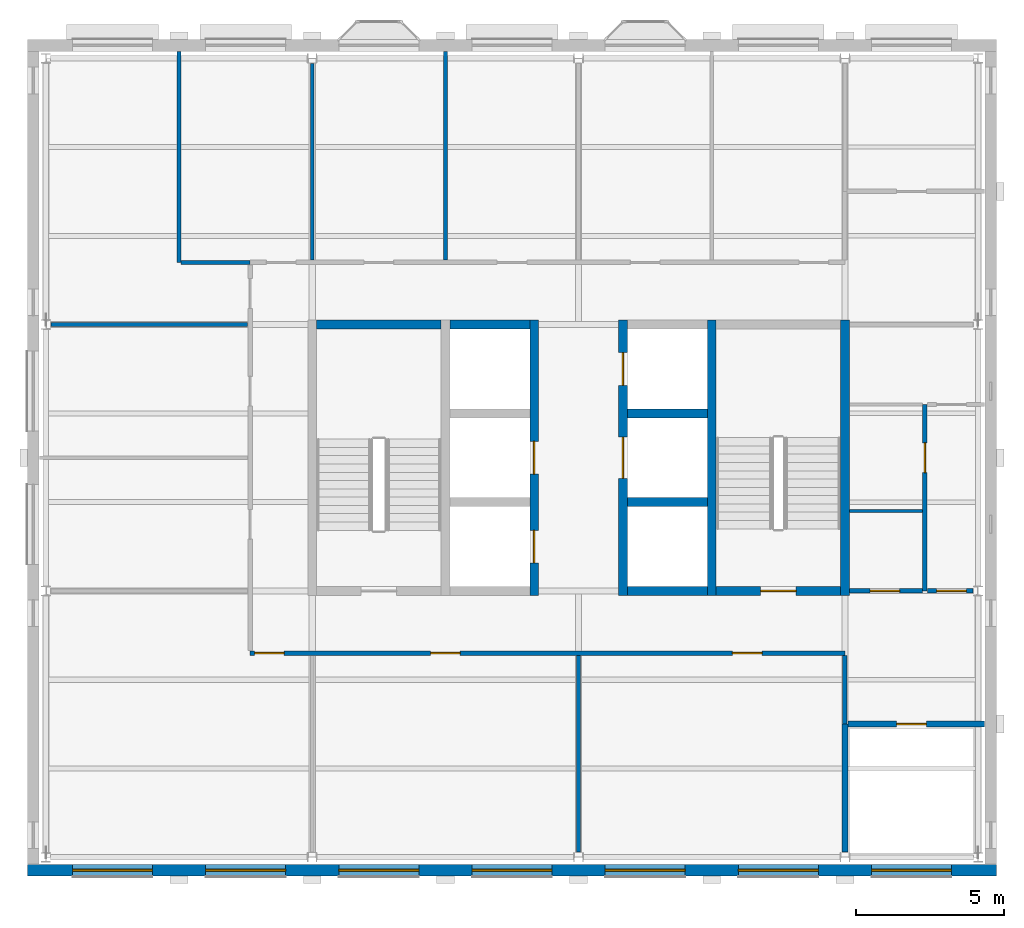
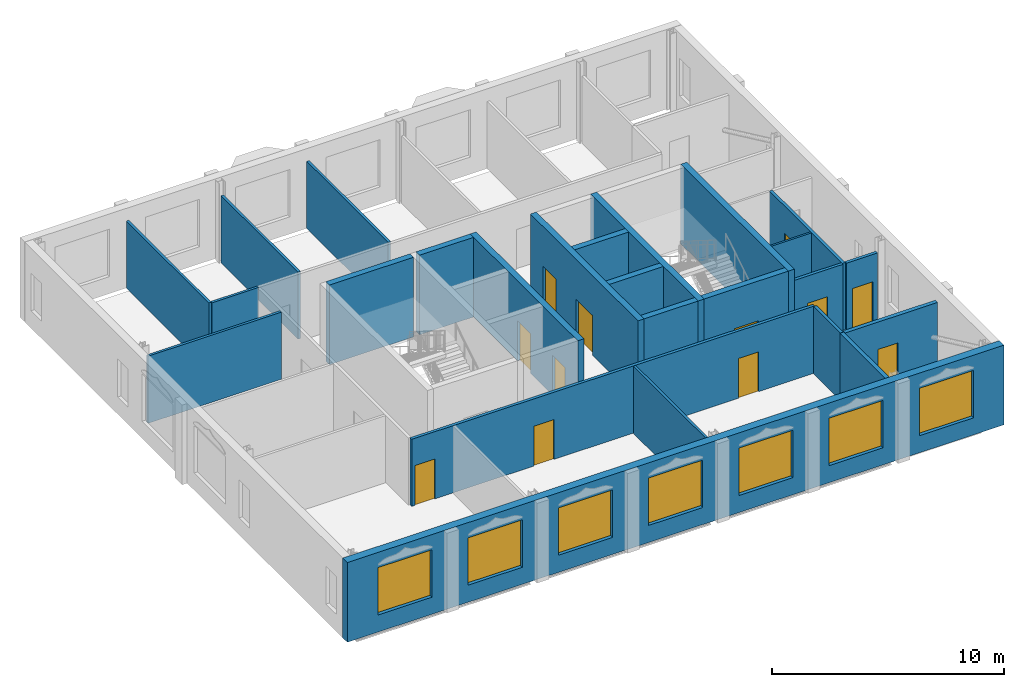
# One storey, part 4 of 9: 25 walls, 12 doors, 7 windows, 19 openings.
"""IFC4 building model written with IfcOpenShell, lengths in metres."""

from ifc_helpers import new_model, si_unit, direction, frame, frame_2d, origin, place, context, subcontext, project, spatial, rectangle, extrude, material, layer, layer_set, type_object, element, fill, save


model = new_model("IFC4")

# Units and contexts
model_context = context("Model", 3, precision=1e-05, world=origin(), true_north=direction((0.0, 1.0)))
body_context = subcontext(model_context, "Body", "Model", "MODEL_VIEW")
ifc_project = project(units=[si_unit("LENGTHUNIT", "METRE"), si_unit("AREAUNIT", "SQUARE_METRE"), si_unit("VOLUMEUNIT", "CUBIC_METRE"), si_unit("PLANEANGLEUNIT", "RADIAN"), si_unit("MASSUNIT", "GRAM", prefix="KILO")], contexts=[model_context])

# Site, building, storey
site_placement = place(None, origin())
site = spatial("IfcSite", under=ifc_project, at=site_placement, CompositionType="ELEMENT")
building_placement = place(site_placement, origin())
building = spatial("IfcBuilding", under=site, at=building_placement, Name="Hortulan Conservatory and Botanical Research Centre", CompositionType="ELEMENT")
storey_placement = place(building_placement, frame((0.0, 0.0, 52.800048828125)))
storey = spatial("IfcBuildingStorey", under=building, at=storey_placement, Name="L12", CompositionType="ELEMENT", Elevation=52.800048828125)

# Wall
ifc_material_1 = material(Name="Fire-rated plasterboard on steel studs", Category="steel")
ifc_layer_1 = layer(ifc_material_1, 0.199951171875)
ifc_layer_set_1 = layer_set([ifc_layer_1], Name="Compartment Partition 200")
wall_type_1 = type_object("IfcWallType", Name="Compartment Partition 200", PredefinedType="PARTITIONING", material=ifc_layer_set_1)
wall_1_placement = place(storey_placement, frame((27.0, 0.17041015625, 0.0), z_axis=(0.0, 0.0, 1.0), x_axis=(0.0, 1.0, 0.0)))
element("IfcWall", 1, at=wall_1_placement, inside=storey, type_object=wall_type_1, Name="Riser wall", PredefinedType="PARTITIONING", context=body_context, shape_type="SweptSolid", body=[
    extrude(rectangle(XDim=4.32958984375, YDim=0.199951171875, at=frame_2d((2.164794921875, 0.0))), origin(), (0.0, 0.0, 1.0), 3.5419921875),
])

# Wall, opening, door
wall_2_placement = place(storey_placement, frame((27.110107421875, 4.5, 0.0), z_axis=(0.0, 0.0, 1.0), x_axis=(1.0, 0.0, 0.0)))
wall_2 = element("IfcWall", 2, at=wall_2_placement, inside=storey, type_object=wall_type_1, Name="Riser wall", PredefinedType="PARTITIONING", context=body_context, shape_type="SweptSolid", body=[
    extrude(rectangle(XDim=4.60498046875, YDim=0.199951171875, at=frame_2d((2.302490234375, 0.0))), origin(), (0.0, 0.0, 1.0), 3.5419921875),
])
opening_1_placement = place(wall_2_placement, frame((1.639892578125, 0.0, 0.0)))
opening_1 = element("IfcOpeningElement", 3, at=opening_1_placement, cuts=wall_2, Name="Opening DT6", PredefinedType="OPENING", context=body_context, shape_type="SweptSolid", body=[
    extrude(rectangle(XDim=1.0, YDim=2.10009765625, at=frame_2d((0.5, 1.050048828125))), frame((0.0, 0.10986328125, 0.0), z_axis=(0.0, -1.0, 0.0), x_axis=(1.0, 0.0, 0.0)), (0.0, 0.0, 1.0), 0.219970703125),
])
ifc_material_2 = material(Name="Steel door leaf, insulated", Category="steel")
door_type_1 = type_object("IfcDoorType", Name="Fire Door 1000x2100 FRL -/120/30", OperationType="NOTDEFINED", PredefinedType="DOOR", material=ifc_material_2)
door_1_placement = place(opening_1_placement, frame((1.0, 0.0, 0.0), z_axis=(0.0, 0.0, 1.0), x_axis=(-1.0, 0.0, 0.0)))
door_1 = element("IfcDoor", 4, at=door_1_placement, inside=storey, type_object=door_type_1, Name="Door DT6 Services Riser", OperationType="SINGLE_SWING_LEFT", OverallHeight=2.10009765625, OverallWidth=1.0, PredefinedType="DOOR", context=body_context, shape_type="SweptSolid", body=[
    extrude(rectangle(XDim=1.0, YDim=2.10009765625, at=frame_2d((0.5, 1.050048828125))), frame((0.0, 0.02490234375, 0.0), z_axis=(0.0, -1.0, 0.0), x_axis=(1.0, 0.0, 0.0)), (0.0, 0.0, 1.0), 0.050048828125),
])
fill(opening_1, door_1)

# Wall, openings, doors
ifc_material_3 = material(Name="Concrete N40 (40 MPa, AS 3600)", Category="concrete")
ifc_layer_2 = layer(ifc_material_3, 0.300048828125)
ifc_layer_set_2 = layer_set([ifc_layer_2], Name="Core Wall 300 N40 FRL 240/120/120")
wall_type_2 = type_object("IfcWallType", Name="Core Wall 300 N40 FRL 240/120/120", PredefinedType="SHEAR", material=ifc_layer_set_2)
wall_3_placement = place(storey_placement, frame((16.5, 8.85009765625, 0.0), z_axis=(0.0, 0.0, 1.0), x_axis=(0.0, 1.0, 0.0)))
wall_3 = element("IfcWall", 5, at=wall_3_placement, inside=storey, type_object=wall_type_2, Name="Reinforced concrete shaft wall", PredefinedType="SHEAR", context=body_context, shape_type="SweptSolid", body=[
    extrude(rectangle(XDim=9.2998046875, YDim=0.300048828125, at=frame_2d((4.64990234375, 0.0))), origin(), (0.0, 0.0, 1.0), 4.199951171875),
])
opening_2_placement = place(wall_3_placement, frame((1.10009765625, 0.0, 0.0)))
opening_2 = element("IfcOpeningElement", 6, at=opening_2_placement, cuts=wall_3, Name="Opening LD1", PredefinedType="OPENING", context=body_context, shape_type="SweptSolid", body=[
    extrude(rectangle(XDim=1.10009765625, YDim=2.10009765625, at=frame_2d((0.550048828125, 1.050048828125))), frame((0.0, 0.159912109375, 0.0), z_axis=(0.0, -1.0, 0.0), x_axis=(1.0, 0.0, 0.0)), (0.0, 0.0, 1.0), 0.320068359375),
])
opening_3_placement = place(wall_3_placement, frame((4.10009765625, 0.0, 0.0)))
opening_3 = element("IfcOpeningElement", 7, at=opening_3_placement, cuts=wall_3, Name="Opening LD1", PredefinedType="OPENING", context=body_context, shape_type="SweptSolid", body=[
    extrude(rectangle(XDim=1.10009765625, YDim=2.10009765625, at=frame_2d((0.550048828125, 1.050048828125))), frame((0.0, 0.159912109375, 0.0), z_axis=(0.0, -1.0, 0.0), x_axis=(1.0, 0.0, 0.0)), (0.0, 0.0, 1.0), 0.320068359375),
])
ifc_material_4 = material(Name="Stainless steel door leaves in steel frame", Category="steel")
door_type_2 = type_object("IfcDoorType", Name="Lift Landing Door 1100x2100", OperationType="DOUBLE_DOOR_SLIDING", PredefinedType="DOOR", material=ifc_material_4)
door_2_placement = place(opening_2_placement, origin())
door_2 = element("IfcDoor", 8, at=door_2_placement, inside=storey, type_object=door_type_2, Name="Lift LP1 landing door L12", OperationType="DOUBLE_DOOR_SLIDING", OverallHeight=2.10009765625, OverallWidth=1.10009765625, PredefinedType="DOOR", context=body_context, shape_type="SweptSolid", body=[
    extrude(rectangle(XDim=1.10009765625, YDim=2.10009765625, at=frame_2d((0.550048828125, 1.050048828125))), frame((0.0, 0.02490234375, 0.0), z_axis=(0.0, -1.0, 0.0), x_axis=(1.0, 0.0, 0.0)), (0.0, 0.0, 1.0), 0.050048828125),
])
fill(opening_2, door_2)
door_3_placement = place(opening_3_placement, origin())
door_3 = element("IfcDoor", 9, at=door_3_placement, inside=storey, type_object=door_type_2, Name="Lift LP2 landing door L12", OperationType="DOUBLE_DOOR_SLIDING", OverallHeight=2.10009765625, OverallWidth=1.10009765625, PredefinedType="DOOR", context=body_context, shape_type="SweptSolid", body=[
    extrude(rectangle(XDim=1.10009765625, YDim=2.10009765625, at=frame_2d((0.550048828125, 1.050048828125))), frame((0.0, 0.02490234375, 0.0), z_axis=(0.0, -1.0, 0.0), x_axis=(1.0, 0.0, 0.0)), (0.0, 0.0, 1.0), 0.050048828125),
])
fill(opening_3, door_3)

wall_4_placement = place(storey_placement, frame((19.5, 8.85009765625, 0.0), z_axis=(0.0, 0.0, 1.0), x_axis=(0.0, 1.0, 0.0)))
wall_4 = element("IfcWall", 10, at=wall_4_placement, inside=storey, type_object=wall_type_2, Name="Reinforced concrete shaft wall", PredefinedType="SHEAR", context=body_context, shape_type="SweptSolid", body=[
    extrude(rectangle(XDim=9.2998046875, YDim=0.300048828125, at=frame_2d((4.64990234375, 0.0))), origin(), (0.0, 0.0, 1.0), 4.199951171875),
])
opening_4_placement = place(wall_4_placement, frame((3.949951171875, 0.0, 0.0)))
opening_4 = element("IfcOpeningElement", 11, at=opening_4_placement, cuts=wall_4, Name="Opening LD2", PredefinedType="OPENING", context=body_context, shape_type="SweptSolid", body=[
    extrude(rectangle(XDim=1.39990234375, YDim=2.10009765625, at=frame_2d((0.699951171875, 1.050048828125))), frame((0.0, 0.159912109375, 0.0), z_axis=(0.0, -1.0, 0.0), x_axis=(1.0, 0.0, 0.0)), (0.0, 0.0, 1.0), 0.320068359375),
])
opening_5_placement = place(wall_4_placement, frame((7.10009765625, 0.0, 0.0)))
opening_5 = element("IfcOpeningElement", 12, at=opening_5_placement, cuts=wall_4, Name="Opening LD1", PredefinedType="OPENING", context=body_context, shape_type="SweptSolid", body=[
    extrude(rectangle(XDim=1.10009765625, YDim=2.10009765625, at=frame_2d((0.550048828125, 1.050048828125))), frame((0.0, 0.159912109375, 0.0), z_axis=(0.0, -1.0, 0.0), x_axis=(1.0, 0.0, 0.0)), (0.0, 0.0, 1.0), 0.320068359375),
])
door_4_placement = place(opening_5_placement, origin())
door_4 = element("IfcDoor", 13, at=door_4_placement, inside=storey, type_object=door_type_2, Name="Lift LF1 landing door L12", OperationType="DOUBLE_DOOR_SLIDING", OverallHeight=2.10009765625, OverallWidth=1.10009765625, PredefinedType="DOOR", context=body_context, shape_type="SweptSolid", body=[
    extrude(rectangle(XDim=1.10009765625, YDim=2.10009765625, at=frame_2d((0.550048828125, 1.050048828125))), frame((0.0, 0.02490234375, 0.0), z_axis=(0.0, -1.0, 0.0), x_axis=(1.0, 0.0, 0.0)), (0.0, 0.0, 1.0), 0.050048828125),
])
fill(opening_5, door_4)
door_type_3 = type_object("IfcDoorType", Name="Lift Landing Door 1400x2100", OperationType="DOUBLE_DOOR_SLIDING", PredefinedType="DOOR", material=ifc_material_4)
door_5_placement = place(opening_4_placement, origin())
door_5 = element("IfcDoor", 14, at=door_5_placement, inside=storey, type_object=door_type_3, Name="Lift LG1 landing door L12", OperationType="DOUBLE_DOOR_SLIDING", OverallHeight=2.10009765625, OverallWidth=1.39990234375, PredefinedType="DOOR", context=body_context, shape_type="SweptSolid", body=[
    extrude(rectangle(XDim=1.39990234375, YDim=2.10009765625, at=frame_2d((0.699951171875, 1.050048828125))), frame((0.0, 0.02490234375, 0.0), z_axis=(0.0, -1.0, 0.0), x_axis=(1.0, 0.0, 0.0)), (0.0, 0.0, 1.0), 0.050048828125),
])
fill(opening_4, door_5)

# Walls
for number, where, z_axis, x_axis, name in (
    (15, (22.5, 8.85009765625, 0.0), (0.0, 0.0, 1.0), (0.0, 1.0, 0.0), "Reinforced concrete shaft wall"),
    (16, (27.0, 8.85009765625, 0.0), (0.0, 0.0, 1.0), (0.0, 1.0, 0.0), "Reinforced concrete shaft wall"),
):
    element("IfcWall", number, at=place(storey_placement, frame(where, z_axis=z_axis, x_axis=x_axis)), inside=storey, type_object=wall_type_2, Name=name, PredefinedType="SHEAR", context=body_context, shape_type="SweptSolid", body=[
        extrude(rectangle(XDim=9.2998046875, YDim=0.300048828125, at=frame_2d((4.64990234375, 0.0))), origin(), (0.0, 0.0, 1.0), 4.199951171875),
    ])
wall_5_placement = place(storey_placement, frame((19.64990234375, 9.0, 0.0), z_axis=(0.0, 0.0, 1.0), x_axis=(1.0, 0.0, 0.0)))
element("IfcWall", 17, at=wall_5_placement, inside=storey, type_object=wall_type_2, Name="Reinforced concrete shaft wall", PredefinedType="SHEAR", context=body_context, shape_type="SweptSolid", body=[
    extrude(rectangle(XDim=2.7001953125, YDim=0.300048828125, at=frame_2d((1.35009765625, 0.0))), origin(), (0.0, 0.0, 1.0), 4.199951171875),
])

# Wall, opening, door
wall_6_placement = place(storey_placement, frame((22.64990234375, 9.0, 0.0), z_axis=(0.0, 0.0, 1.0), x_axis=(1.0, 0.0, 0.0)))
wall_6 = element("IfcWall", 18, at=wall_6_placement, inside=storey, type_object=wall_type_2, Name="Reinforced concrete shaft wall", PredefinedType="SHEAR", context=body_context, shape_type="SweptSolid", body=[
    extrude(rectangle(XDim=4.2001953125, YDim=0.300048828125, at=frame_2d((2.10009765625, 0.0))), origin(), (0.0, 0.0, 1.0), 4.199951171875),
])
opening_6_placement = place(wall_6_placement, frame((1.5, 0.0, 0.0)))
opening_6 = element("IfcOpeningElement", 19, at=opening_6_placement, cuts=wall_6, Name="Opening DT5", PredefinedType="OPENING", context=body_context, shape_type="SweptSolid", body=[
    extrude(rectangle(XDim=1.199951171875, YDim=2.10009765625, at=frame_2d((0.60009765625, 1.050048828125))), frame((0.0, 0.159912109375, 0.0), z_axis=(0.0, -1.0, 0.0), x_axis=(1.0, 0.0, 0.0)), (0.0, 0.0, 1.0), 0.320068359375),
])
door_type_4 = type_object("IfcDoorType", Name="Stair Door 1200x2100 FRL -/120/30", OperationType="NOTDEFINED", PredefinedType="DOOR", material=ifc_material_2)
door_6_placement = place(opening_6_placement, origin())
door_6 = element("IfcDoor", 20, at=door_6_placement, inside=storey, type_object=door_type_4, Name="Door DT5 Exit Stair T2", OperationType="SINGLE_SWING_LEFT", OverallHeight=2.10009765625, OverallWidth=1.199951171875, PredefinedType="DOOR", context=body_context, shape_type="SweptSolid", body=[
    extrude(rectangle(XDim=1.199951171875, YDim=2.10009765625, at=frame_2d((0.60009765625, 1.050048828125))), frame((0.0, 0.02490234375, 0.0), z_axis=(0.0, -1.0, 0.0), x_axis=(1.0, 0.0, 0.0)), (0.0, 0.0, 1.0), 0.050048828125),
])
fill(opening_6, door_6)

# Walls
for number, where, z_axis, x_axis, name in (
    (21, (19.64990234375, 12.0, 0.0), (0.0, 0.0, 1.0), (1.0, 0.0, 0.0), "Reinforced concrete shaft wall"),
    (22, (19.64990234375, 15.0, 0.0), (0.0, 0.0, 1.0), (1.0, 0.0, 0.0), "Reinforced concrete shaft wall"),
):
    element("IfcWall", number, at=place(storey_placement, frame(where, z_axis=z_axis, x_axis=x_axis)), inside=storey, type_object=wall_type_2, Name=name, PredefinedType="SHEAR", context=body_context, shape_type="SweptSolid", body=[
        extrude(rectangle(XDim=2.7001953125, YDim=0.300048828125, at=frame_2d((1.35009765625, 0.0))), origin(), (0.0, 0.0, 1.0), 4.199951171875),
    ])
wall_7_placement = place(storey_placement, frame((9.14990234375, 18.0, 0.0), z_axis=(0.0, 0.0, 1.0), x_axis=(1.0, 0.0, 0.0)))
element("IfcWall", 23, at=wall_7_placement, inside=storey, type_object=wall_type_2, Name="Reinforced concrete shaft wall", PredefinedType="SHEAR", context=body_context, shape_type="SweptSolid", body=[
    extrude(rectangle(XDim=4.2001953125, YDim=0.300048828125, at=frame_2d((2.10009765625, 0.0))), origin(), (0.0, 0.0, 1.0), 4.199951171875),
])
wall_8_placement = place(storey_placement, frame((13.64990234375, 18.0, 0.0), z_axis=(0.0, 0.0, 1.0), x_axis=(1.0, 0.0, 0.0)))
element("IfcWall", 24, at=wall_8_placement, inside=storey, type_object=wall_type_2, Name="Reinforced concrete shaft wall", PredefinedType="SHEAR", context=body_context, shape_type="SweptSolid", body=[
    extrude(rectangle(XDim=2.7001953125, YDim=0.300048828125, at=frame_2d((1.35009765625, 0.0))), origin(), (0.0, 0.0, 1.0), 4.199951171875),
])
ifc_material_5 = material(Name="Plasterboard on steel studs", Category="steel")
ifc_layer_3 = layer(ifc_material_5, 0.14990234375)
ifc_layer_set_3 = layer_set([ifc_layer_3], Name="Corridor Partition 150")
wall_type_3 = type_object("IfcWallType", Name="Corridor Partition 150", PredefinedType="PARTITIONING", material=ifc_layer_set_3)
wall_9_placement = place(storey_placement, frame((27.0, 4.510009765625, 0.0), z_axis=(0.0, 0.0, 1.0), x_axis=(0.0, 1.0, 0.0)))
element("IfcWall", 25, at=wall_9_placement, inside=storey, type_object=wall_type_3, Name="Corridor partition", PredefinedType="PARTITIONING", context=body_context, shape_type="SweptSolid", body=[
    extrude(rectangle(XDim=2.304931640625, YDim=0.14990234375, at=frame_2d((1.15234375, 0.0))), origin(), (0.0, 0.0, 1.0), 3.5419921875),
])

# Wall, openings, doors
wall_10_placement = place(storey_placement, frame((6.89990234375, 6.89990234375, 0.0), z_axis=(0.0, 0.0, 1.0), x_axis=(1.0, 0.0, 0.0)))
wall_10 = element("IfcWall", 26, at=wall_10_placement, inside=storey, type_object=wall_type_3, Name="Corridor partition", PredefinedType="PARTITIONING", context=body_context, shape_type="SweptSolid", body=[
    extrude(rectangle(XDim=20.10009765625, YDim=0.14990234375, at=frame_2d((10.050048828125, 0.0))), origin(), (0.0, 0.0, 1.0), 3.5419921875),
])
opening_7_placement = place(wall_10_placement, frame((0.14990234375, 0.0, 0.0)))
opening_7 = element("IfcOpeningElement", 27, at=opening_7_placement, cuts=wall_10, Name="Opening DT1", PredefinedType="OPENING", context=body_context, shape_type="SweptSolid", body=[
    extrude(rectangle(XDim=1.0, YDim=2.10009765625, at=frame_2d((0.5, 1.050048828125))), frame((0.0, 0.0849609375, 0.0), z_axis=(0.0, -1.0, 0.0), x_axis=(1.0, 0.0, 0.0)), (0.0, 0.0, 1.0), 0.169921875),
])
opening_8_placement = place(wall_10_placement, frame((6.10009765625, 0.0, 0.0)))
opening_8 = element("IfcOpeningElement", 28, at=opening_8_placement, cuts=wall_10, Name="Opening DT1", PredefinedType="OPENING", context=body_context, shape_type="SweptSolid", body=[
    extrude(rectangle(XDim=1.0, YDim=2.10009765625, at=frame_2d((0.5, 1.050048828125))), frame((0.0, 0.0849609375, 0.0), z_axis=(0.0, -1.0, 0.0), x_axis=(1.0, 0.0, 0.0)), (0.0, 0.0, 1.0), 0.169921875),
])
opening_9_placement = place(wall_10_placement, frame((16.300048828125, 0.0, 0.0)))
opening_9 = element("IfcOpeningElement", 29, at=opening_9_placement, cuts=wall_10, Name="Opening DT1", PredefinedType="OPENING", context=body_context, shape_type="SweptSolid", body=[
    extrude(rectangle(XDim=1.0, YDim=2.10009765625, at=frame_2d((0.5, 1.050048828125))), frame((0.0, 0.0849609375, 0.0), z_axis=(0.0, -1.0, 0.0), x_axis=(1.0, 0.0, 0.0)), (0.0, 0.0, 1.0), 0.169921875),
])
ifc_material_6 = material(Name="Timber door leaf in timber frame", Category="wood")
door_type_5 = type_object("IfcDoorType", Name="Single Door 1000x2100", OperationType="NOTDEFINED", PredefinedType="DOOR", material=ifc_material_6)
door_7_placement = place(opening_7_placement, frame((1.0, 0.0, 0.0), z_axis=(0.0, 0.0, 1.0), x_axis=(-1.0, 0.0, 0.0)))
door_7 = element("IfcDoor", 30, at=door_7_placement, inside=storey, type_object=door_type_5, Name="Door DT1 Board Room", OperationType="SINGLE_SWING_RIGHT", OverallHeight=2.10009765625, OverallWidth=1.0, PredefinedType="DOOR", context=body_context, shape_type="SweptSolid", body=[
    extrude(rectangle(XDim=1.0, YDim=2.10009765625, at=frame_2d((0.5, 1.050048828125))), frame((0.0, 0.02490234375, 0.0), z_axis=(0.0, -1.0, 0.0), x_axis=(1.0, 0.0, 0.0)), (0.0, 0.0, 1.0), 0.050048828125),
])
fill(opening_7, door_7)
door_8_placement = place(opening_8_placement, frame((1.0, 0.0, 0.0), z_axis=(0.0, 0.0, 1.0), x_axis=(-1.0, 0.0, 0.0)))
door_8 = element("IfcDoor", 31, at=door_8_placement, inside=storey, type_object=door_type_5, Name="Door DT1 Scientists' Open Office", OperationType="SINGLE_SWING_LEFT", OverallHeight=2.10009765625, OverallWidth=1.0, PredefinedType="DOOR", context=body_context, shape_type="SweptSolid", body=[
    extrude(rectangle(XDim=1.0, YDim=2.10009765625, at=frame_2d((0.5, 1.050048828125))), frame((0.0, 0.02490234375, 0.0), z_axis=(0.0, -1.0, 0.0), x_axis=(1.0, 0.0, 0.0)), (0.0, 0.0, 1.0), 0.050048828125),
])
fill(opening_8, door_8)
door_9_placement = place(opening_9_placement, frame((1.0, 0.0, 0.0), z_axis=(0.0, 0.0, 1.0), x_axis=(-1.0, 0.0, 0.0)))
door_9 = element("IfcDoor", 32, at=door_9_placement, inside=storey, type_object=door_type_5, Name="Door DT1 Research Group Office", OperationType="SINGLE_SWING_RIGHT", OverallHeight=2.10009765625, OverallWidth=1.0, PredefinedType="DOOR", context=body_context, shape_type="SweptSolid", body=[
    extrude(rectangle(XDim=1.0, YDim=2.10009765625, at=frame_2d((0.5, 1.050048828125))), frame((0.0, 0.02490234375, 0.0), z_axis=(0.0, -1.0, 0.0), x_axis=(1.0, 0.0, 0.0)), (0.0, 0.0, 1.0), 0.050048828125),
])
fill(opening_9, door_9)

# Wall, opening, door
wall_11_placement = place(storey_placement, frame((27.159912109375, 9.0, 0.0), z_axis=(0.0, 0.0, 1.0), x_axis=(1.0, 0.0, 0.0)))
wall_11 = element("IfcWall", 33, at=wall_11_placement, inside=storey, type_object=wall_type_3, Name="Corridor partition", PredefinedType="PARTITIONING", context=body_context, shape_type="SweptSolid", body=[
    extrude(rectangle(XDim=2.455078125, YDim=0.14990234375, at=frame_2d((1.2275390625, 0.0))), origin(), (0.0, 0.0, 1.0), 3.5419921875),
])
opening_10_placement = place(wall_11_placement, frame((0.68994140625, 0.0, 0.0)))
opening_10 = element("IfcOpeningElement", 34, at=opening_10_placement, cuts=wall_11, Name="Opening DT1", PredefinedType="OPENING", context=body_context, shape_type="SweptSolid", body=[
    extrude(rectangle(XDim=1.0, YDim=2.10009765625, at=frame_2d((0.5, 1.050048828125))), frame((0.0, 0.0849609375, 0.0), z_axis=(0.0, -1.0, 0.0), x_axis=(1.0, 0.0, 0.0)), (0.0, 0.0, 1.0), 0.169921875),
])
door_10_placement = place(opening_10_placement, origin())
door_10 = element("IfcDoor", 35, at=door_10_placement, inside=storey, type_object=door_type_5, Name="Door DT1 Accessible WC", OperationType="SINGLE_SWING_RIGHT", OverallHeight=2.10009765625, OverallWidth=1.0, PredefinedType="DOOR", context=body_context, shape_type="SweptSolid", body=[
    extrude(rectangle(XDim=1.0, YDim=2.10009765625, at=frame_2d((0.5, 1.050048828125))), frame((0.0, 0.02490234375, 0.0), z_axis=(0.0, -1.0, 0.0), x_axis=(1.0, 0.0, 0.0)), (0.0, 0.0, 1.0), 0.050048828125),
])
fill(opening_10, door_10)

# Wall, openings, windows
ifc_material_7 = material(Name="Faience-faced brickwork masonry", Category="masonry")
ifc_layer_4 = layer(ifc_material_7, 0.39990234375)
ifc_layer_set_4 = layer_set([ifc_layer_4], Name="Faience-faced Masonry Cavity Wall 400")
wall_type_4 = type_object("IfcWallType", Name="Faience-faced Masonry Cavity Wall 400", PredefinedType="STANDARD", material=ifc_layer_set_4)
wall_12_placement = place(storey_placement, frame((32.125, -0.43603515625, 0.0), z_axis=(0.0, 0.0, 1.0), x_axis=(-1.0, 0.0, 0.0)))
wall_12 = element("IfcWall", 36, at=wall_12_placement, inside=storey, type_object=wall_type_4, Name="E-EW-TW-L12-S1", PredefinedType="STANDARD", context=body_context, shape_type="SweptSolid", body=[
    extrude(rectangle(XDim=32.75, YDim=0.39990234375, at=frame_2d((16.375, 0.0))), origin(), (0.0, 0.0, 1.0), 4.199951171875),
])
opening_11_placement = place(wall_12_placement, frame((28.52490234375, 0.0, 0.89990234375)))
opening_11 = element("IfcOpeningElement", 37, at=opening_11_placement, cuts=wall_12, Name="Opening W4", PredefinedType="OPENING", context=body_context, shape_type="SweptSolid", body=[
    extrude(rectangle(XDim=2.699951171875, YDim=2.5, at=frame_2d((1.35009765625, 1.25))), frame((0.0, 0.2099609375, 0.0), z_axis=(0.0, -1.0, 0.0), x_axis=(1.0, 0.0, 0.0)), (0.0, 0.0, 1.0), 0.419921875),
])
opening_12_placement = place(wall_12_placement, frame((24.02490234375, 0.0, 0.89990234375)))
opening_12 = element("IfcOpeningElement", 38, at=opening_12_placement, cuts=wall_12, Name="Opening W4", PredefinedType="OPENING", context=body_context, shape_type="SweptSolid", body=[
    extrude(rectangle(XDim=2.699951171875, YDim=2.5, at=frame_2d((1.35009765625, 1.25))), frame((0.0, 0.2099609375, 0.0), z_axis=(0.0, -1.0, 0.0), x_axis=(1.0, 0.0, 0.0)), (0.0, 0.0, 1.0), 0.419921875),
])
opening_13_placement = place(wall_12_placement, frame((19.52490234375, 0.0, 0.89990234375)))
opening_13 = element("IfcOpeningElement", 39, at=opening_13_placement, cuts=wall_12, Name="Opening W4", PredefinedType="OPENING", context=body_context, shape_type="SweptSolid", body=[
    extrude(rectangle(XDim=2.699951171875, YDim=2.5, at=frame_2d((1.35009765625, 1.25))), frame((0.0, 0.2099609375, 0.0), z_axis=(0.0, -1.0, 0.0), x_axis=(1.0, 0.0, 0.0)), (0.0, 0.0, 1.0), 0.419921875),
])
opening_14_placement = place(wall_12_placement, frame((15.02490234375, 0.0, 0.89990234375)))
opening_14 = element("IfcOpeningElement", 40, at=opening_14_placement, cuts=wall_12, Name="Opening W4", PredefinedType="OPENING", context=body_context, shape_type="SweptSolid", body=[
    extrude(rectangle(XDim=2.699951171875, YDim=2.5, at=frame_2d((1.35009765625, 1.25))), frame((0.0, 0.2099609375, 0.0), z_axis=(0.0, -1.0, 0.0), x_axis=(1.0, 0.0, 0.0)), (0.0, 0.0, 1.0), 0.419921875),
])
opening_15_placement = place(wall_12_placement, frame((10.52490234375, 0.0, 0.89990234375)))
opening_15 = element("IfcOpeningElement", 41, at=opening_15_placement, cuts=wall_12, Name="Opening W4", PredefinedType="OPENING", context=body_context, shape_type="SweptSolid", body=[
    extrude(rectangle(XDim=2.699951171875, YDim=2.5, at=frame_2d((1.35009765625, 1.25))), frame((0.0, 0.2099609375, 0.0), z_axis=(0.0, -1.0, 0.0), x_axis=(1.0, 0.0, 0.0)), (0.0, 0.0, 1.0), 0.419921875),
])
opening_16_placement = place(wall_12_placement, frame((6.02490234375, 0.0, 0.89990234375)))
opening_16 = element("IfcOpeningElement", 42, at=opening_16_placement, cuts=wall_12, Name="Opening W4", PredefinedType="OPENING", context=body_context, shape_type="SweptSolid", body=[
    extrude(rectangle(XDim=2.699951171875, YDim=2.5, at=frame_2d((1.35009765625, 1.25))), frame((0.0, 0.2099609375, 0.0), z_axis=(0.0, -1.0, 0.0), x_axis=(1.0, 0.0, 0.0)), (0.0, 0.0, 1.0), 0.419921875),
])
opening_17_placement = place(wall_12_placement, frame((1.52490234375, 0.0, 0.89990234375)))
opening_17 = element("IfcOpeningElement", 43, at=opening_17_placement, cuts=wall_12, Name="Opening W4", PredefinedType="OPENING", context=body_context, shape_type="SweptSolid", body=[
    extrude(rectangle(XDim=2.699951171875, YDim=2.5, at=frame_2d((1.35009765625, 1.25))), frame((0.0, 0.2099609375, 0.0), z_axis=(0.0, -1.0, 0.0), x_axis=(1.0, 0.0, 0.0)), (0.0, 0.0, 1.0), 0.419921875),
])
ifc_material_8 = material(Name="Bronze-finished aluminium frame with low-e laminated double glazing", Category="aluminium")
window_type = type_object("IfcWindowType", Name="Faience Window 2700x2500", PartitioningType="SINGLE_PANEL", PredefinedType="WINDOW", material=ifc_material_8)
window_1_placement = place(opening_11_placement, origin())
window_1 = element("IfcWindow", 44, at=window_1_placement, inside=storey, type_object=window_type, Name="Faience window", OverallHeight=2.5, OverallWidth=2.699951171875, PartitioningType="SINGLE_PANEL", PredefinedType="WINDOW", context=body_context, shape_type="SweptSolid", body=[
    extrude(rectangle(XDim=2.699951171875, YDim=2.5, at=frame_2d((1.35009765625, 1.25))), frame((0.0, 0.030029296875, 0.0), z_axis=(0.0, -1.0, 0.0), x_axis=(1.0, 0.0, 0.0)), (0.0, 0.0, 1.0), 0.06005859375),
])
fill(opening_11, window_1)
window_2_placement = place(opening_12_placement, origin())
window_2 = element("IfcWindow", 45, at=window_2_placement, inside=storey, type_object=window_type, Name="Faience window", OverallHeight=2.5, OverallWidth=2.699951171875, PartitioningType="SINGLE_PANEL", PredefinedType="WINDOW", context=body_context, shape_type="SweptSolid", body=[
    extrude(rectangle(XDim=2.699951171875, YDim=2.5, at=frame_2d((1.35009765625, 1.25))), frame((0.0, 0.030029296875, 0.0), z_axis=(0.0, -1.0, 0.0), x_axis=(1.0, 0.0, 0.0)), (0.0, 0.0, 1.0), 0.06005859375),
])
fill(opening_12, window_2)
window_3_placement = place(opening_13_placement, origin())
window_3 = element("IfcWindow", 46, at=window_3_placement, inside=storey, type_object=window_type, Name="Faience window", OverallHeight=2.5, OverallWidth=2.699951171875, PartitioningType="SINGLE_PANEL", PredefinedType="WINDOW", context=body_context, shape_type="SweptSolid", body=[
    extrude(rectangle(XDim=2.699951171875, YDim=2.5, at=frame_2d((1.35009765625, 1.25))), frame((0.0, 0.030029296875, 0.0), z_axis=(0.0, -1.0, 0.0), x_axis=(1.0, 0.0, 0.0)), (0.0, 0.0, 1.0), 0.06005859375),
])
fill(opening_13, window_3)
window_4_placement = place(opening_14_placement, origin())
window_4 = element("IfcWindow", 47, at=window_4_placement, inside=storey, type_object=window_type, Name="Faience window", OverallHeight=2.5, OverallWidth=2.699951171875, PartitioningType="SINGLE_PANEL", PredefinedType="WINDOW", context=body_context, shape_type="SweptSolid", body=[
    extrude(rectangle(XDim=2.699951171875, YDim=2.5, at=frame_2d((1.35009765625, 1.25))), frame((0.0, 0.030029296875, 0.0), z_axis=(0.0, -1.0, 0.0), x_axis=(1.0, 0.0, 0.0)), (0.0, 0.0, 1.0), 0.06005859375),
])
fill(opening_14, window_4)
window_5_placement = place(opening_15_placement, origin())
window_5 = element("IfcWindow", 48, at=window_5_placement, inside=storey, type_object=window_type, Name="Faience window", OverallHeight=2.5, OverallWidth=2.699951171875, PartitioningType="SINGLE_PANEL", PredefinedType="WINDOW", context=body_context, shape_type="SweptSolid", body=[
    extrude(rectangle(XDim=2.699951171875, YDim=2.5, at=frame_2d((1.35009765625, 1.25))), frame((0.0, 0.030029296875, 0.0), z_axis=(0.0, -1.0, 0.0), x_axis=(1.0, 0.0, 0.0)), (0.0, 0.0, 1.0), 0.06005859375),
])
fill(opening_15, window_5)
window_6_placement = place(opening_16_placement, origin())
window_6 = element("IfcWindow", 49, at=window_6_placement, inside=storey, type_object=window_type, Name="Faience window", OverallHeight=2.5, OverallWidth=2.699951171875, PartitioningType="SINGLE_PANEL", PredefinedType="WINDOW", context=body_context, shape_type="SweptSolid", body=[
    extrude(rectangle(XDim=2.699951171875, YDim=2.5, at=frame_2d((1.35009765625, 1.25))), frame((0.0, 0.030029296875, 0.0), z_axis=(0.0, -1.0, 0.0), x_axis=(1.0, 0.0, 0.0)), (0.0, 0.0, 1.0), 0.06005859375),
])
fill(opening_16, window_6)
window_7_placement = place(opening_17_placement, origin())
window_7 = element("IfcWindow", 50, at=window_7_placement, inside=storey, type_object=window_type, Name="Faience window", OverallHeight=2.5, OverallWidth=2.699951171875, PartitioningType="SINGLE_PANEL", PredefinedType="WINDOW", context=body_context, shape_type="SweptSolid", body=[
    extrude(rectangle(XDim=2.699951171875, YDim=2.5, at=frame_2d((1.35009765625, 1.25))), frame((0.0, 0.030029296875, 0.0), z_axis=(0.0, -1.0, 0.0), x_axis=(1.0, 0.0, 0.0)), (0.0, 0.0, 1.0), 0.06005859375),
])
fill(opening_17, window_7)

# Wall, opening, door
ifc_layer_5 = layer(ifc_material_1, 0.14990234375)
ifc_layer_set_5 = layer_set([ifc_layer_5], Name="Lobby Partition 150")
wall_type_5 = type_object("IfcWallType", Name="Lobby Partition 150", PredefinedType="PARTITIONING", material=ifc_layer_set_5)
wall_13_placement = place(storey_placement, frame((29.699951171875, 9.0, 0.0), z_axis=(0.0, 0.0, 1.0), x_axis=(0.0, 1.0, 0.0)))
wall_13 = element("IfcWall", 51, at=wall_13_placement, inside=storey, type_object=wall_type_5, Name="Lobby partition", PredefinedType="PARTITIONING", context=body_context, shape_type="SweptSolid", body=[
    extrude(rectangle(XDim=6.300048828125, YDim=0.14990234375, at=frame_2d((3.14990234375, 0.0))), origin(), (0.0, 0.0, 1.0), 3.5419921875),
])
opening_18_placement = place(wall_13_placement, frame((4.0, 0.0, 0.0)))
opening_18 = element("IfcOpeningElement", 52, at=opening_18_placement, cuts=wall_13, Name="Opening DT4", PredefinedType="OPENING", context=body_context, shape_type="SweptSolid", body=[
    extrude(rectangle(XDim=1.0, YDim=2.10009765625, at=frame_2d((0.5, 1.050048828125))), frame((0.0, 0.0849609375, 0.0), z_axis=(0.0, -1.0, 0.0), x_axis=(1.0, 0.0, 0.0)), (0.0, 0.0, 1.0), 0.169921875),
])
door_type_6 = type_object("IfcDoorType", Name="Fire Door 1000x2100 FRL -/60/30", OperationType="NOTDEFINED", PredefinedType="DOOR", material=ifc_material_2)
door_11_placement = place(opening_18_placement, origin())
door_11 = element("IfcDoor", 53, at=door_11_placement, inside=storey, type_object=door_type_6, Name="Door DT4 Women's WC", OperationType="SINGLE_SWING_LEFT", OverallHeight=2.10009765625, OverallWidth=1.0, PredefinedType="DOOR", context=body_context, shape_type="SweptSolid", body=[
    extrude(rectangle(XDim=1.0, YDim=2.10009765625, at=frame_2d((0.5, 1.050048828125))), frame((0.0, 0.02490234375, 0.0), z_axis=(0.0, -1.0, 0.0), x_axis=(1.0, 0.0, 0.0)), (0.0, 0.0, 1.0), 0.050048828125),
])
fill(opening_18, door_11)

wall_14_placement = place(storey_placement, frame((29.784912109375, 9.0, 0.0), z_axis=(0.0, 0.0, 1.0), x_axis=(1.0, 0.0, 0.0)))
wall_14 = element("IfcWall", 54, at=wall_14_placement, inside=storey, type_object=wall_type_5, Name="Lobby partition", PredefinedType="PARTITIONING", context=body_context, shape_type="SweptSolid", body=[
    extrude(rectangle(XDim=1.550537109375, YDim=0.14990234375, at=frame_2d((0.775390625, 0.0))), origin(), (0.0, 0.0, 1.0), 3.5419921875),
])
opening_19_placement = place(wall_14_placement, frame((0.31494140625, 0.0, 0.0)))
opening_19 = element("IfcOpeningElement", 55, at=opening_19_placement, cuts=wall_14, Name="Opening DT4", PredefinedType="OPENING", context=body_context, shape_type="SweptSolid", body=[
    extrude(rectangle(XDim=1.0, YDim=2.10009765625, at=frame_2d((0.5, 1.050048828125))), frame((0.0, 0.0849609375, 0.0), z_axis=(0.0, -1.0, 0.0), x_axis=(1.0, 0.0, 0.0)), (0.0, 0.0, 1.0), 0.169921875),
])
door_12_placement = place(opening_19_placement, origin())
door_12 = element("IfcDoor", 56, at=door_12_placement, inside=storey, type_object=door_type_6, Name="Door DT4 WC Lobby", OperationType="SINGLE_SWING_LEFT", OverallHeight=2.10009765625, OverallWidth=1.0, PredefinedType="DOOR", context=body_context, shape_type="SweptSolid", body=[
    extrude(rectangle(XDim=1.0, YDim=2.10009765625, at=frame_2d((0.5, 1.050048828125))), frame((0.0, 0.02490234375, 0.0), z_axis=(0.0, -1.0, 0.0), x_axis=(1.0, 0.0, 0.0)), (0.0, 0.0, 1.0), 0.050048828125),
])
fill(opening_19, door_12)

# Walls
ifc_layer_6 = layer(ifc_material_5, 0.125)
ifc_layer_set_6 = layer_set([ifc_layer_6], Name="Partition 125")
wall_type_6 = type_object("IfcWallType", Name="Partition 125", PredefinedType="PARTITIONING", material=ifc_layer_set_6)
wall_15_placement = place(storey_placement, frame((4.5, 20.10009765625, 0.0), z_axis=(0.0, 0.0, 1.0), x_axis=(0.0, 1.0, 0.0)))
element("IfcWall", 57, at=wall_15_placement, inside=storey, type_object=wall_type_6, Name="Partition", PredefinedType="PARTITIONING", context=body_context, shape_type="SweptSolid", body=[
    extrude(rectangle(XDim=7.1259765625, YDim=0.125, at=frame_2d((3.56298828125, 0.0))), origin(), (0.0, 0.0, 1.0), 3.5419921875),
])
wall_16_placement = place(storey_placement, frame((9.0, 20.18505859375, 0.0), z_axis=(0.0, 0.0, 1.0), x_axis=(0.0, 1.0, 0.0)))
element("IfcWall", 58, at=wall_16_placement, inside=storey, type_object=wall_type_6, Name="Partition", PredefinedType="PARTITIONING", context=body_context, shape_type="SweptSolid", body=[
    extrude(rectangle(XDim=6.64453125, YDim=0.125, at=frame_2d((3.322265625, 0.0))), origin(), (0.0, 0.0, 1.0), 3.5419921875),
])
wall_17_placement = place(storey_placement, frame((13.5, 20.18505859375, 0.0), z_axis=(0.0, 0.0, 1.0), x_axis=(0.0, 1.0, 0.0)))
element("IfcWall", 59, at=wall_17_placement, inside=storey, type_object=wall_type_6, Name="Partition", PredefinedType="PARTITIONING", context=body_context, shape_type="SweptSolid", body=[
    extrude(rectangle(XDim=7.041015625, YDim=0.125, at=frame_2d((3.5205078125, 0.0))), origin(), (0.0, 0.0, 1.0), 3.5419921875),
])
wall_18_placement = place(storey_placement, frame((18.0, 0.17041015625, 0.0), z_axis=(0.0, 0.0, 1.0), x_axis=(0.0, 1.0, 0.0)))
element("IfcWall", 60, at=wall_18_placement, inside=storey, type_object=wall_type_6, Name="Partition", PredefinedType="PARTITIONING", context=body_context, shape_type="SweptSolid", body=[
    extrude(rectangle(XDim=6.64453125, YDim=0.125, at=frame_2d((3.322265625, 0.0))), origin(), (0.0, 0.0, 1.0), 3.5419921875),
])
wall_19_placement = place(storey_placement, frame((0.16455078125, 18.0, 0.0), z_axis=(0.0, 0.0, 1.0), x_axis=(1.0, 0.0, 0.0)))
element("IfcWall", 61, at=wall_19_placement, inside=storey, type_object=wall_type_6, Name="Partition", PredefinedType="PARTITIONING", context=body_context, shape_type="SweptSolid", body=[
    extrude(rectangle(XDim=6.650390625, YDim=0.125, at=frame_2d((3.3251953125, 0.0))), origin(), (0.0, 0.0, 1.0), 3.5419921875),
])
wall_20_placement = place(storey_placement, frame((4.572509765625, 20.10009765625, 0.0), z_axis=(0.0, 0.0, 1.0), x_axis=(1.0, 0.0, 0.0)))
element("IfcWall", 62, at=wall_20_placement, inside=storey, type_object=wall_type_6, Name="Partition", PredefinedType="PARTITIONING", context=body_context, shape_type="SweptSolid", body=[
    extrude(rectangle(XDim=2.3173828125, YDim=0.125, at=frame_2d((1.15869140625, 0.0))), origin(), (0.0, 0.0, 1.0), 3.5419921875),
])
ifc_material_9 = material(Name="Moisture-resistant plasterboard on steel studs", Category="steel")
ifc_layer_7 = layer(ifc_material_9, 0.10009765625)
ifc_layer_set_7 = layer_set([ifc_layer_7], Name="Wet Area Partition 100")
wall_type_7 = type_object("IfcWallType", Name="Wet Area Partition 100", PredefinedType="PARTITIONING", material=ifc_layer_set_7)
wall_21_placement = place(storey_placement, frame((27.159912109375, 11.699951171875, 0.0), z_axis=(0.0, 0.0, 1.0), x_axis=(1.0, 0.0, 0.0)))
element("IfcWall", 63, at=wall_21_placement, inside=storey, type_object=wall_type_7, Name="Toilet partition", PredefinedType="PARTITIONING", context=body_context, shape_type="SweptSolid", body=[
    extrude(rectangle(XDim=2.455078125, YDim=0.10009765625, at=frame_2d((1.2275390625, 0.0))), origin(), (0.0, 0.0, 1.0), 3.5419921875),
])

save(model, "model.ifc")
